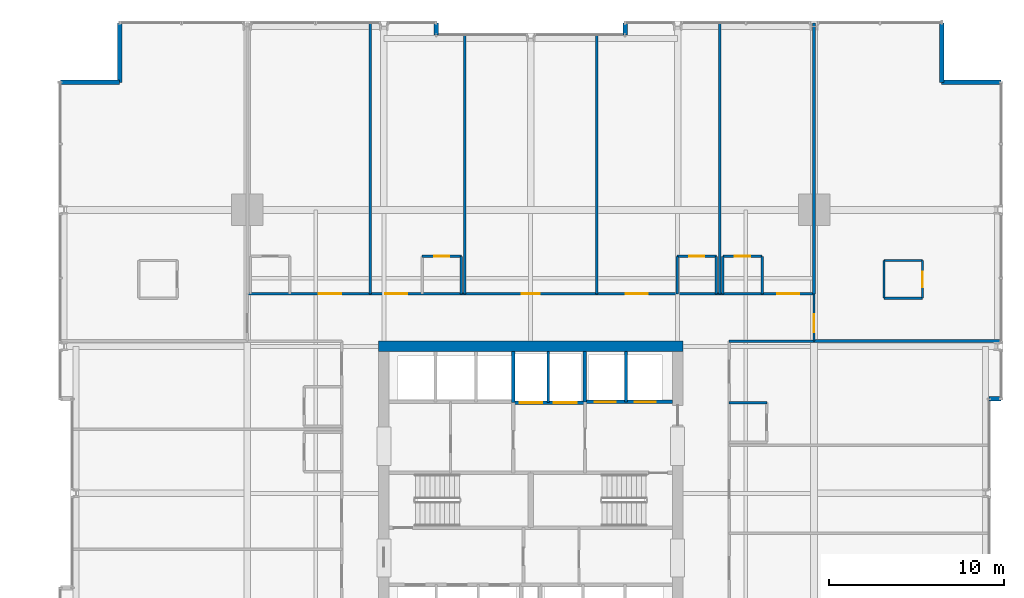
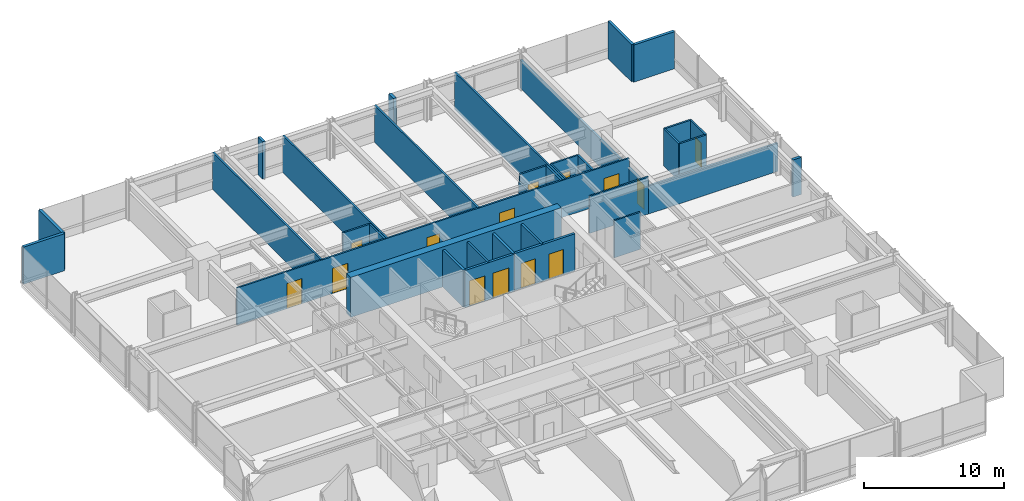
# One storey, part 33 of 38: 36 walls, 14 doors, 14 openings.
"""IFC4 building model written with IfcOpenShell, lengths in metres."""

from ifc_helpers import new_model, si_unit, direction, frame, frame_2d, origin, place, context, subcontext, project, spatial, rectangle, extrude, material, layer, layer_set, type_object, element, fill, save


model = new_model("IFC4")

# Units and contexts
model_context = context("Model", 3, precision=1e-05, world=origin(), true_north=direction((0.0, 1.0)))
body_context = subcontext(model_context, "Body", "Model", "MODEL_VIEW")
ifc_project = project(units=[si_unit("LENGTHUNIT", "METRE"), si_unit("AREAUNIT", "SQUARE_METRE"), si_unit("VOLUMEUNIT", "CUBIC_METRE"), si_unit("PLANEANGLEUNIT", "RADIAN"), si_unit("MASSUNIT", "GRAM", prefix="KILO")], contexts=[model_context])

# Site, building, storey
site_placement = place(None, origin())
site = spatial("IfcSite", under=ifc_project, at=site_placement, CompositionType="ELEMENT")
building_placement = place(site_placement, origin())
building = spatial("IfcBuilding", under=site, at=building_placement, Name="Drelvath Grand Hotel", CompositionType="ELEMENT")
storey_placement = place(building_placement, frame((0.0, 0.0, 61.199951171875)))
storey = spatial("IfcBuildingStorey", under=building, at=storey_placement, Name="L14", CompositionType="ELEMENT", Elevation=61.199951171875)

# Wall, openings, doors
ifc_material_1 = material(Name="Concrete C40/50", Category="concrete")
ifc_layer_1 = layer(ifc_material_1, 0.199951171875)
ifc_layer_set_1 = layer_set([ifc_layer_1], Name="Concrete C40/50")
wall_type_1 = type_object("IfcWallType", Name="Core Hoistway Fire Wall 200", PredefinedType="SOLIDWALL", material=ifc_layer_set_1)
wall_1_placement = place(storey_placement, frame((3.10009765625, 32.219970703125, 0.0), z_axis=(0.0, 0.0, 1.0), x_axis=(1.0, 0.0, 0.0)))
wall_1 = element("IfcWall", 1, at=wall_1_placement, inside=storey, type_object=wall_type_1, Name="L14 FSAE Hoistway Front Wall", PredefinedType="SOLIDWALL", context=body_context, shape_type="SweptSolid", body=[
    extrude(rectangle(XDim=5.0, YDim=0.199951171875, at=frame_2d((2.5, 0.0))), origin(), (0.0, 0.0, 1.0), 3.239990234375),
])
opening_1_placement = place(wall_1_placement, frame((0.550048828125, 0.0, 0.0)))
opening_1 = element("IfcOpeningElement", 2, at=opening_1_placement, cuts=wall_1, Name="Opening LD-FSAE-1", PredefinedType="OPENING", context=body_context, shape_type="SweptSolid", body=[
    extrude(rectangle(XDim=1.199951171875, YDim=2.199951171875, at=frame_2d((0.60009765625, 1.10009765625))), frame((0.0, 0.10986328125, 0.0), z_axis=(0.0, -1.0, 0.0), x_axis=(1.0, 0.0, 0.0)), (0.0, 0.0, 1.0), 0.219970703125),
])
opening_2_placement = place(wall_1_placement, frame((2.85009765625, 0.0, 0.0)))
opening_2 = element("IfcOpeningElement", 3, at=opening_2_placement, cuts=wall_1, Name="Opening LD-FSAE-2", PredefinedType="OPENING", context=body_context, shape_type="SweptSolid", body=[
    extrude(rectangle(XDim=1.199951171875, YDim=2.199951171875, at=frame_2d((0.60009765625, 1.10009765625))), frame((0.0, 0.10986328125, 0.0), z_axis=(0.0, -1.0, 0.0), x_axis=(1.0, 0.0, 0.0)), (0.0, 0.0, 1.0), 0.219970703125),
])
ifc_material_2 = material(Name="Stainless Steel S355", Category="steel")
door_type_1 = type_object("IfcDoorType", Name="FSAE Lift Sliding Landing Door 1200x2200", OperationType="NOTDEFINED", PredefinedType="DOOR", material=ifc_material_2)
door_1_placement = place(opening_1_placement, origin())
door_1 = element("IfcDoor", 4, at=door_1_placement, inside=storey, type_object=door_type_1, Name="L14 Lift FSAE-1 Landing Door", OperationType="SLIDING_TO_LEFT", OverallHeight=2.199951171875, OverallWidth=1.199951171875, PredefinedType="DOOR", context=body_context, shape_type="SweptSolid", body=[
    extrude(rectangle(XDim=1.199951171875, YDim=2.199951171875, at=frame_2d((0.60009765625, 1.10009765625))), frame((0.0, 0.02490234375, 0.0), z_axis=(0.0, -1.0, 0.0), x_axis=(1.0, 0.0, 0.0)), (0.0, 0.0, 1.0), 0.050048828125),
])
fill(opening_1, door_1)
door_2_placement = place(opening_2_placement, origin())
door_2 = element("IfcDoor", 5, at=door_2_placement, inside=storey, type_object=door_type_1, Name="L14 Lift FSAE-2 Landing Door", OperationType="SLIDING_TO_LEFT", OverallHeight=2.199951171875, OverallWidth=1.199951171875, PredefinedType="DOOR", context=body_context, shape_type="SweptSolid", body=[
    extrude(rectangle(XDim=1.199951171875, YDim=2.199951171875, at=frame_2d((0.60009765625, 1.10009765625))), frame((0.0, 0.02490234375, 0.0), z_axis=(0.0, -1.0, 0.0), x_axis=(1.0, 0.0, 0.0)), (0.0, 0.0, 1.0), 0.050048828125),
])
fill(opening_2, door_2)

# Wall
wall_2_placement = place(storey_placement, frame((3.10009765625, 32.219970703125, 0.0), z_axis=(0.0, 0.0, 1.0), x_axis=(0.0, 1.0, 0.0)))
element("IfcWall", 6, at=wall_2_placement, inside=storey, type_object=wall_type_1, Name="L14 FSAE Hoistway West Wall", PredefinedType="SOLIDWALL", context=body_context, shape_type="SweptSolid", body=[
    extrude(rectangle(XDim=2.880126953125, YDim=0.199951171875, at=frame_2d((1.43994140625, 0.0))), origin(), (0.0, 0.0, 1.0), 3.239990234375),
])

# Wall, openings, doors
wall_3_placement = place(storey_placement, frame((-1.0, 32.179931640625, 0.0), z_axis=(0.0, 0.0, 1.0), x_axis=(1.0, 0.0, 0.0)))
wall_3 = element("IfcWall", 7, at=wall_3_placement, inside=storey, type_object=wall_type_1, Name="L14 Service Lift Hoistway Wall", PredefinedType="SOLIDWALL", context=body_context, shape_type="SweptSolid", body=[
    extrude(rectangle(XDim=4.10009765625, YDim=0.199951171875, at=frame_2d((2.050048828125, 0.0))), origin(), (0.0, 0.0, 1.0), 3.239990234375),
])
opening_3_placement = place(wall_3_placement, frame((0.3701171875, 0.0, 0.0)))
opening_3 = element("IfcOpeningElement", 8, at=opening_3_placement, cuts=wall_3, Name="Opening LD-SV-2", PredefinedType="OPENING", context=body_context, shape_type="SweptSolid", body=[
    extrude(rectangle(XDim=1.300048828125, YDim=2.199951171875, at=frame_2d((0.64990234375, 1.10009765625))), frame((0.0, 0.10986328125, 0.0), z_axis=(0.0, -1.0, 0.0), x_axis=(1.0, 0.0, 0.0)), (0.0, 0.0, 1.0), 0.219970703125),
])
opening_4_placement = place(wall_3_placement, frame((2.330078125, 0.0, 0.0)))
opening_4 = element("IfcOpeningElement", 9, at=opening_4_placement, cuts=wall_3, Name="Opening LD-SV-1", PredefinedType="OPENING", context=body_context, shape_type="SweptSolid", body=[
    extrude(rectangle(XDim=1.300048828125, YDim=2.199951171875, at=frame_2d((0.64990234375, 1.10009765625))), frame((0.0, 0.10986328125, 0.0), z_axis=(0.0, -1.0, 0.0), x_axis=(1.0, 0.0, 0.0)), (0.0, 0.0, 1.0), 0.219970703125),
])
door_type_2 = type_object("IfcDoorType", Name="Service Lift Sliding Landing Door 1300x2200", OperationType="NOTDEFINED", PredefinedType="DOOR", material=ifc_material_2)
door_3_placement = place(opening_3_placement, origin())
door_3 = element("IfcDoor", 10, at=door_3_placement, inside=storey, type_object=door_type_2, Name="L14 Lift SV-2 Landing Door", OperationType="SLIDING_TO_LEFT", OverallHeight=2.199951171875, OverallWidth=1.300048828125, PredefinedType="DOOR", context=body_context, shape_type="SweptSolid", body=[
    extrude(rectangle(XDim=1.300048828125, YDim=2.199951171875, at=frame_2d((0.64990234375, 1.10009765625))), frame((0.0, 0.02490234375, 0.0), z_axis=(0.0, -1.0, 0.0), x_axis=(1.0, 0.0, 0.0)), (0.0, 0.0, 1.0), 0.050048828125),
])
fill(opening_3, door_3)
door_4_placement = place(opening_4_placement, origin())
door_4 = element("IfcDoor", 11, at=door_4_placement, inside=storey, type_object=door_type_2, Name="L14 Lift SV-1 Landing Door", OperationType="SLIDING_TO_LEFT", OverallHeight=2.199951171875, OverallWidth=1.300048828125, PredefinedType="DOOR", context=body_context, shape_type="SweptSolid", body=[
    extrude(rectangle(XDim=1.300048828125, YDim=2.199951171875, at=frame_2d((0.64990234375, 1.10009765625))), frame((0.0, 0.02490234375, 0.0), z_axis=(0.0, -1.0, 0.0), x_axis=(1.0, 0.0, 0.0)), (0.0, 0.0, 1.0), 0.050048828125),
])
fill(opening_4, door_4)

# Walls
wall_4_placement = place(storey_placement, frame((-1.0, 32.179931640625, 0.0), z_axis=(0.0, 0.0, 1.0), x_axis=(0.0, 1.0, 0.0)))
element("IfcWall", 12, at=wall_4_placement, inside=storey, type_object=wall_type_1, Name="L14 Service Lift West Wall", PredefinedType="SOLIDWALL", context=body_context, shape_type="SweptSolid", body=[
    extrude(rectangle(XDim=2.920166015625, YDim=0.199951171875, at=frame_2d((1.4599609375, 0.0))), origin(), (0.0, 0.0, 1.0), 3.239990234375),
])
ifc_material_3 = material(Name="Gypsum Fireboard Partition")
ifc_layer_2 = layer(ifc_material_3, 0.1650390625)
ifc_layer_set_2 = layer_set([ifc_layer_2], Name="Gypsum Fireboard Partition")
wall_type_2 = type_object("IfcWallType", Name="Core Shaft Partition 165", PredefinedType="PARTITIONING", material=ifc_layer_set_2)
wall_5_placement = place(storey_placement, frame((5.449951171875, 32.219970703125, 0.0), z_axis=(0.0, 0.0, 1.0), x_axis=(0.0, 1.0, 0.0)))
element("IfcWall", 13, at=wall_5_placement, inside=storey, type_object=wall_type_2, Name="L14 FSAE Hoistway Divider", PredefinedType="PARTITIONING", context=body_context, shape_type="SweptSolid", body=[
    extrude(rectangle(XDim=2.880126953125, YDim=0.1650390625, at=frame_2d((1.43994140625, 0.0))), origin(), (0.0, 0.0, 1.0), 3.239990234375),
])
wall_6_placement = place(storey_placement, frame((1.0, 32.179931640625, 0.0), z_axis=(0.0, 0.0, 1.0), x_axis=(0.0, 1.0, 0.0)))
element("IfcWall", 14, at=wall_6_placement, inside=storey, type_object=wall_type_2, Name="L14 Service Lift Divider", PredefinedType="PARTITIONING", context=body_context, shape_type="SweptSolid", body=[
    extrude(rectangle(XDim=2.920166015625, YDim=0.1650390625, at=frame_2d((1.4599609375, 0.0))), origin(), (0.0, 0.0, 1.0), 3.239990234375),
])

# Wall, openings, doors
ifc_layer_3 = layer(ifc_material_3, 0.135009765625)
ifc_layer_set_3 = layer_set([ifc_layer_3], Name="Gypsum Fireboard Partition")
wall_type_3 = type_object("IfcWallType", Name="Corridor Fire Barrier Wall 135", PredefinedType="PARTITIONING", material=ifc_layer_set_3)
wall_7_placement = place(storey_placement, frame((-16.199951171875, 38.39990234375, 0.0), z_axis=(0.0, 0.0, 1.0), x_axis=(1.0, 0.0, 0.0)))
wall_7 = element("IfcWall", 15, at=wall_7_placement, inside=storey, type_object=wall_type_3, Name="L14 North Corridor Wall", PredefinedType="PARTITIONING", context=body_context, shape_type="SweptSolid", body=[
    extrude(rectangle(XDim=32.39990234375, YDim=0.135009765625, at=frame_2d((16.199951171875, 0.0))), origin(), (0.0, 0.0, 1.0), 3.239990234375),
])
opening_5_placement = place(wall_7_placement, frame((4.094970703125, 0.0, 0.0)))
opening_5 = element("IfcOpeningElement", 16, at=opening_5_placement, cuts=wall_7, Name="Opening D-T1G3-035", PredefinedType="OPENING", context=body_context, shape_type="SweptSolid", body=[
    extrude(rectangle(XDim=1.260009765625, YDim=2.199951171875, at=frame_2d((0.6298828125, 1.10009765625))), frame((0.0, 0.077392578125, 0.0), z_axis=(0.0, -1.0, 0.0), x_axis=(1.0, 0.0, 0.0)), (0.0, 0.0, 1.0), 0.155029296875),
])
opening_6_placement = place(wall_7_placement, frame((7.875, 0.0, 0.0)))
opening_6 = element("IfcOpeningElement", 17, at=opening_6_placement, cuts=wall_7, Name="Opening D-T1G3-037", PredefinedType="OPENING", context=body_context, shape_type="SweptSolid", body=[
    extrude(rectangle(XDim=1.260009765625, YDim=2.199951171875, at=frame_2d((0.6298828125, 1.10009765625))), frame((0.0, 0.077392578125, 0.0), z_axis=(0.0, -1.0, 0.0), x_axis=(1.0, 0.0, 0.0)), (0.0, 0.0, 1.0), 0.155029296875),
])
opening_7_placement = place(wall_7_placement, frame((15.68994140625, 0.0, 0.0)))
opening_7 = element("IfcOpeningElement", 18, at=opening_7_placement, cuts=wall_7, Name="Opening D-T1G3-038", PredefinedType="OPENING", context=body_context, shape_type="SweptSolid", body=[
    extrude(rectangle(XDim=1.02001953125, YDim=2.14990234375, at=frame_2d((0.510009765625, 1.074951171875))), frame((0.0, 0.077392578125, 0.0), z_axis=(0.0, -1.0, 0.0), x_axis=(1.0, 0.0, 0.0)), (0.0, 0.0, 1.0), 0.155029296875),
])
opening_8_placement = place(wall_7_placement, frame((21.64501953125, 0.0, 0.0)))
opening_8 = element("IfcOpeningElement", 19, at=opening_8_placement, cuts=wall_7, Name="Opening D-T1G3-040", PredefinedType="OPENING", context=body_context, shape_type="SweptSolid", body=[
    extrude(rectangle(XDim=1.260009765625, YDim=2.199951171875, at=frame_2d((0.6298828125, 1.10009765625))), frame((0.0, 0.077392578125, 0.0), z_axis=(0.0, -1.0, 0.0), x_axis=(1.0, 0.0, 0.0)), (0.0, 0.0, 1.0), 0.155029296875),
])
opening_9_placement = place(wall_7_placement, frame((30.284912109375, 0.0, 0.0)))
opening_9 = element("IfcOpeningElement", 20, at=opening_9_placement, cuts=wall_7, Name="Opening D-T1G3-042", PredefinedType="OPENING", context=body_context, shape_type="SweptSolid", body=[
    extrude(rectangle(XDim=1.260009765625, YDim=2.199951171875, at=frame_2d((0.6298828125, 1.10009765625))), frame((0.0, 0.077392578125, 0.0), z_axis=(0.0, -1.0, 0.0), x_axis=(1.0, 0.0, 0.0)), (0.0, 0.0, 1.0), 0.155029296875),
])
ifc_material_4 = material(Name="Hardwood Walnut Timber", Category="wood")
door_type_3 = type_object("IfcDoorType", Name="Amenity Meeting Fire Door 1020x2150", OperationType="NOTDEFINED", PredefinedType="DOOR", material=ifc_material_4)
door_5_placement = place(opening_7_placement, origin())
door_5 = element("IfcDoor", 21, at=door_5_placement, inside=storey, type_object=door_type_3, Name="L14 Briefing Seminar Room Entry Door", OperationType="SINGLE_SWING_LEFT", OverallHeight=2.14990234375, OverallWidth=1.02001953125, PredefinedType="DOOR", context=body_context, shape_type="SweptSolid", body=[
    extrude(rectangle(XDim=1.02001953125, YDim=2.14990234375, at=frame_2d((0.510009765625, 1.074951171875))), frame((0.0, 0.02490234375, 0.0), z_axis=(0.0, -1.0, 0.0), x_axis=(1.0, 0.0, 0.0)), (0.0, 0.0, 1.0), 0.050048828125),
])
fill(opening_7, door_5)
door_type_4 = type_object("IfcDoorType", Name="Suite Entrance Fire Door 1260x2200", OperationType="NOTDEFINED", PredefinedType="DOOR", material=ifc_material_4)
door_6_placement = place(opening_5_placement, origin())
door_6 = element("IfcDoor", 22, at=door_6_placement, inside=storey, type_object=door_type_4, Name="L14 Corner Suite Entry Door", OperationType="SINGLE_SWING_RIGHT", OverallHeight=2.199951171875, OverallWidth=1.260009765625, PredefinedType="DOOR", context=body_context, shape_type="SweptSolid", body=[
    extrude(rectangle(XDim=1.260009765625, YDim=2.199951171875, at=frame_2d((0.6298828125, 1.10009765625))), frame((0.0, 0.02490234375, 0.0), z_axis=(0.0, -1.0, 0.0), x_axis=(1.0, 0.0, 0.0)), (0.0, 0.0, 1.0), 0.050048828125),
])
fill(opening_5, door_6)
door_7_placement = place(opening_6_placement, origin())
door_7 = element("IfcDoor", 23, at=door_7_placement, inside=storey, type_object=door_type_4, Name="L14 Corner Suite Entry Door", OperationType="SINGLE_SWING_RIGHT", OverallHeight=2.199951171875, OverallWidth=1.260009765625, PredefinedType="DOOR", context=body_context, shape_type="SweptSolid", body=[
    extrude(rectangle(XDim=1.260009765625, YDim=2.199951171875, at=frame_2d((0.6298828125, 1.10009765625))), frame((0.0, 0.02490234375, 0.0), z_axis=(0.0, -1.0, 0.0), x_axis=(1.0, 0.0, 0.0)), (0.0, 0.0, 1.0), 0.050048828125),
])
fill(opening_6, door_7)
door_8_placement = place(opening_8_placement, origin())
door_8 = element("IfcDoor", 24, at=door_8_placement, inside=storey, type_object=door_type_4, Name="L14 Corner Suite Entry Door", OperationType="SINGLE_SWING_LEFT", OverallHeight=2.199951171875, OverallWidth=1.260009765625, PredefinedType="DOOR", context=body_context, shape_type="SweptSolid", body=[
    extrude(rectangle(XDim=1.260009765625, YDim=2.199951171875, at=frame_2d((0.6298828125, 1.10009765625))), frame((0.0, 0.02490234375, 0.0), z_axis=(0.0, -1.0, 0.0), x_axis=(1.0, 0.0, 0.0)), (0.0, 0.0, 1.0), 0.050048828125),
])
fill(opening_8, door_8)
door_9_placement = place(opening_9_placement, origin())
door_9 = element("IfcDoor", 25, at=door_9_placement, inside=storey, type_object=door_type_4, Name="L14 Corner Suite Entry Door", OperationType="SINGLE_SWING_LEFT", OverallHeight=2.199951171875, OverallWidth=1.260009765625, PredefinedType="DOOR", context=body_context, shape_type="SweptSolid", body=[
    extrude(rectangle(XDim=1.260009765625, YDim=2.199951171875, at=frame_2d((0.6298828125, 1.10009765625))), frame((0.0, 0.02490234375, 0.0), z_axis=(0.0, -1.0, 0.0), x_axis=(1.0, 0.0, 0.0)), (0.0, 0.0, 1.0), 0.050048828125),
])
fill(opening_9, door_9)

# Wall
wall_8_placement = place(storey_placement, frame((11.35009765625, 35.699951171875, 0.0), z_axis=(0.0, 0.0, 1.0), x_axis=(1.0, 0.0, 0.0)))
element("IfcWall", 26, at=wall_8_placement, inside=storey, type_object=wall_type_3, Name="L14 NE Spur Inner Wall", PredefinedType="PARTITIONING", context=body_context, shape_type="SweptSolid", body=[
    extrude(rectangle(XDim=4.849853515625, YDim=0.135009765625, at=frame_2d((2.4248046875, 0.0))), origin(), (0.0, 0.0, 1.0), 3.239990234375),
])

# Wall, opening, door
wall_9_placement = place(storey_placement, frame((16.199951171875, 35.699951171875, 0.0), z_axis=(0.0, 0.0, 1.0), x_axis=(0.0, 1.0, 0.0)))
wall_9 = element("IfcWall", 27, at=wall_9_placement, inside=storey, type_object=wall_type_3, Name="L14 North Corridor East End", PredefinedType="PARTITIONING", context=body_context, shape_type="SweptSolid", body=[
    extrude(rectangle(XDim=2.699951171875, YDim=0.135009765625, at=frame_2d((1.35009765625, 0.0))), origin(), (0.0, 0.0, 1.0), 2.451904296875),
])
opening_10_placement = place(wall_9_placement, frame((0.52001953125, 0.0, 0.0)))
opening_10 = element("IfcOpeningElement", 28, at=opening_10_placement, cuts=wall_9, Name="Opening D-T1G3-024", PredefinedType="OPENING", context=body_context, shape_type="SweptSolid", body=[
    extrude(rectangle(XDim=1.02001953125, YDim=2.14990234375, at=frame_2d((0.510009765625, 1.074951171875))), frame((0.0, 0.077392578125, 0.0), z_axis=(0.0, -1.0, 0.0), x_axis=(1.0, 0.0, 0.0)), (0.0, 0.0, 1.0), 0.155029296875),
])
door_10_placement = place(opening_10_placement, origin())
door_10 = element("IfcDoor", 29, at=door_10_placement, inside=storey, type_object=door_type_3, Name="L14 Corner Suite Entry Door", OperationType="SINGLE_SWING_LEFT", OverallHeight=2.14990234375, OverallWidth=1.02001953125, PredefinedType="DOOR", context=body_context, shape_type="SweptSolid", body=[
    extrude(rectangle(XDim=1.02001953125, YDim=2.14990234375, at=frame_2d((0.510009765625, 1.074951171875))), frame((0.0, 0.02490234375, 0.0), z_axis=(0.0, -1.0, 0.0), x_axis=(1.0, 0.0, 0.0)), (0.0, 0.0, 1.0), 0.050048828125),
])
fill(opening_10, door_10)

# Walls
ifc_material_5 = material(Name="Moisture-Resistant Gypsum Board")
ifc_layer_4 = layer(ifc_material_5, 0.139892578125)
ifc_layer_set_4 = layer_set([ifc_layer_4], Name="Moisture-Resistant Gypsum Board")
wall_type_4 = type_object("IfcWallType", Name="En-Suite Plumbing Wall 140", PredefinedType="PLUMBINGWALL", material=ifc_layer_set_4)
for number, where, z_axis, x_axis, name in (
    (30, (20.199951171875, 38.159912109375, 0.0), (0.0, 0.0, 1.0), (1.0, 0.0, 0.0), "L14 Corner En-Suite South"),
    (31, (20.199951171875, 40.31005859375, 0.0), (0.0, 0.0, 1.0), (1.0, 0.0, 0.0), "L14 Corner En-Suite North"),
):
    element("IfcWall", number, at=place(storey_placement, frame(where, z_axis=z_axis, x_axis=x_axis)), inside=storey, type_object=wall_type_4, Name=name, PredefinedType="PLUMBINGWALL", context=body_context, shape_type="SweptSolid", body=[
        extrude(rectangle(XDim=2.199951171875, YDim=0.139892578125, at=frame_2d((1.10009765625, 0.0))), origin(), (0.0, 0.0, 1.0), 3.239990234375),
    ])
wall_10_placement = place(storey_placement, frame((20.199951171875, 38.159912109375, 0.0), z_axis=(0.0, 0.0, 1.0), x_axis=(0.0, 1.0, 0.0)))
element("IfcWall", 32, at=wall_10_placement, inside=storey, type_object=wall_type_4, Name="L14 Corner En-Suite West", PredefinedType="PLUMBINGWALL", context=body_context, shape_type="SweptSolid", body=[
    extrude(rectangle(XDim=2.150146484375, YDim=0.139892578125, at=frame_2d((1.0751953125, 0.0))), origin(), (0.0, 0.0, 1.0), 3.239990234375),
])

# Wall, opening, door
wall_11_placement = place(storey_placement, frame((22.39990234375, 38.159912109375, 0.0), z_axis=(0.0, 0.0, 1.0), x_axis=(0.0, 1.0, 0.0)))
wall_11 = element("IfcWall", 33, at=wall_11_placement, inside=storey, type_object=wall_type_4, Name="L14 Corner En-Suite East", PredefinedType="PLUMBINGWALL", context=body_context, shape_type="SweptSolid", body=[
    extrude(rectangle(XDim=2.150146484375, YDim=0.139892578125, at=frame_2d((1.0751953125, 0.0))), origin(), (0.0, 0.0, 1.0), 3.239990234375),
])
opening_11_placement = place(wall_11_placement, frame((0.6201171875, 0.0, 0.0)))
opening_11 = element("IfcOpeningElement", 34, at=opening_11_placement, cuts=wall_11, Name="Opening D-T1G3-023", PredefinedType="OPENING", context=body_context, shape_type="SweptSolid", body=[
    extrude(rectangle(XDim=0.8798828125, YDim=2.10009765625, at=frame_2d((0.43994140625, 1.050048828125))), frame((0.0, 0.079833984375, 0.0), z_axis=(0.0, -1.0, 0.0), x_axis=(1.0, 0.0, 0.0)), (0.0, 0.0, 1.0), 0.159912109375),
])
door_type_5 = type_object("IfcDoorType", Name="En-Suite Bathroom Door 880x2100", OperationType="NOTDEFINED", PredefinedType="DOOR", material=ifc_material_4)
door_11_placement = place(opening_11_placement, origin())
door_11 = element("IfcDoor", 35, at=door_11_placement, inside=storey, type_object=door_type_5, Name="L14 Corner En-Suite Door", OperationType="SINGLE_SWING_RIGHT", OverallHeight=2.10009765625, OverallWidth=0.8798828125, PredefinedType="DOOR", context=body_context, shape_type="SweptSolid", body=[
    extrude(rectangle(XDim=0.8798828125, YDim=2.10009765625, at=frame_2d((0.43994140625, 1.050048828125))), frame((0.0, 0.02490234375, 0.0), z_axis=(0.0, -1.0, 0.0), x_axis=(1.0, 0.0, 0.0)), (0.0, 0.0, 1.0), 0.050048828125),
])
fill(opening_11, door_11)

# Wall
wall_12_placement = place(storey_placement, frame((-3.9599609375, 38.39990234375, 0.0), z_axis=(0.0, 0.0, 1.0), x_axis=(0.0, 1.0, 0.0)))
element("IfcWall", 36, at=wall_12_placement, inside=storey, type_object=wall_type_4, Name="L14 En-Suite Right Wall", PredefinedType="PLUMBINGWALL", context=body_context, shape_type="SweptSolid", body=[
    extrude(rectangle(XDim=2.150146484375, YDim=0.139892578125, at=frame_2d((1.0751953125, 0.0))), origin(), (0.0, 0.0, 1.0), 3.239990234375),
])

# Wall, opening, door
wall_13_placement = place(storey_placement, frame((-6.2099609375, 40.550048828125, 0.0), z_axis=(0.0, 0.0, 1.0), x_axis=(1.0, 0.0, 0.0)))
wall_13 = element("IfcWall", 37, at=wall_13_placement, inside=storey, type_object=wall_type_4, Name="L14 En-Suite Front Wall", PredefinedType="PLUMBINGWALL", context=body_context, shape_type="SweptSolid", body=[
    extrude(rectangle(XDim=2.25, YDim=0.139892578125, at=frame_2d((1.125, 0.0))), origin(), (0.0, 0.0, 1.0), 3.239990234375),
])
opening_12_placement = place(wall_13_placement, frame((0.68505859375, 0.0, 0.0)))
opening_12 = element("IfcOpeningElement", 38, at=opening_12_placement, cuts=wall_13, Name="Opening D-T1G3-036", PredefinedType="OPENING", context=body_context, shape_type="SweptSolid", body=[
    extrude(rectangle(XDim=0.8798828125, YDim=2.10009765625, at=frame_2d((0.43994140625, 1.050048828125))), frame((0.0, 0.079833984375, 0.0), z_axis=(0.0, -1.0, 0.0), x_axis=(1.0, 0.0, 0.0)), (0.0, 0.0, 1.0), 0.159912109375),
])
door_12_placement = place(opening_12_placement, origin())
door_12 = element("IfcDoor", 39, at=door_12_placement, inside=storey, type_object=door_type_5, Name="L14 En-Suite Bathroom Door", OperationType="SINGLE_SWING_LEFT", OverallHeight=2.10009765625, OverallWidth=0.8798828125, PredefinedType="DOOR", context=body_context, shape_type="SweptSolid", body=[
    extrude(rectangle(XDim=0.8798828125, YDim=2.10009765625, at=frame_2d((0.43994140625, 1.050048828125))), frame((0.0, 0.02490234375, 0.0), z_axis=(0.0, -1.0, 0.0), x_axis=(1.0, 0.0, 0.0)), (0.0, 0.0, 1.0), 0.050048828125),
])
fill(opening_12, door_12)

# Walls
wall_14_placement = place(storey_placement, frame((8.3701171875, 38.39990234375, 0.0), z_axis=(0.0, 0.0, 1.0), x_axis=(0.0, 1.0, 0.0)))
element("IfcWall", 40, at=wall_14_placement, inside=storey, type_object=wall_type_4, Name="L14 En-Suite Left Wall", PredefinedType="PLUMBINGWALL", context=body_context, shape_type="SweptSolid", body=[
    extrude(rectangle(XDim=2.150146484375, YDim=0.139892578125, at=frame_2d((1.0751953125, 0.0))), origin(), (0.0, 0.0, 1.0), 2.617431640625),
])
wall_15_placement = place(storey_placement, frame((10.6201171875, 38.39990234375, 0.0), z_axis=(0.0, 0.0, 1.0), x_axis=(0.0, 1.0, 0.0)))
element("IfcWall", 41, at=wall_15_placement, inside=storey, type_object=wall_type_4, Name="L14 En-Suite Right Wall", PredefinedType="PLUMBINGWALL", context=body_context, shape_type="SweptSolid", body=[
    extrude(rectangle(XDim=2.150146484375, YDim=0.139892578125, at=frame_2d((1.0751953125, 0.0))), origin(), (0.0, 0.0, 1.0), 3.239990234375),
])

# Wall, opening, door
wall_16_placement = place(storey_placement, frame((8.3701171875, 40.550048828125, 0.0), z_axis=(0.0, 0.0, 1.0), x_axis=(1.0, 0.0, 0.0)))
wall_16 = element("IfcWall", 42, at=wall_16_placement, inside=storey, type_object=wall_type_4, Name="L14 En-Suite Front Wall", PredefinedType="PLUMBINGWALL", context=body_context, shape_type="SweptSolid", body=[
    extrude(rectangle(XDim=2.25, YDim=0.139892578125, at=frame_2d((1.125, 0.0))), origin(), (0.0, 0.0, 1.0), 3.239990234375),
])
opening_13_placement = place(wall_16_placement, frame((0.68505859375, 0.0, 0.0)))
opening_13 = element("IfcOpeningElement", 43, at=opening_13_placement, cuts=wall_16, Name="Opening D-T1G3-039", PredefinedType="OPENING", context=body_context, shape_type="SweptSolid", body=[
    extrude(rectangle(XDim=0.8798828125, YDim=2.10009765625, at=frame_2d((0.43994140625, 1.050048828125))), frame((0.0, 0.079833984375, 0.0), z_axis=(0.0, -1.0, 0.0), x_axis=(1.0, 0.0, 0.0)), (0.0, 0.0, 1.0), 0.159912109375),
])
door_13_placement = place(opening_13_placement, origin())
door_13 = element("IfcDoor", 44, at=door_13_placement, inside=storey, type_object=door_type_5, Name="L14 En-Suite Bathroom Door", OperationType="SINGLE_SWING_RIGHT", OverallHeight=2.10009765625, OverallWidth=0.8798828125, PredefinedType="DOOR", context=body_context, shape_type="SweptSolid", body=[
    extrude(rectangle(XDim=0.8798828125, YDim=2.10009765625, at=frame_2d((0.43994140625, 1.050048828125))), frame((0.0, 0.02490234375, 0.0), z_axis=(0.0, -1.0, 0.0), x_axis=(1.0, 0.0, 0.0)), (0.0, 0.0, 1.0), 0.050048828125),
])
fill(opening_13, door_13)

# Walls
for number, where, z_axis, x_axis, name in (
    (45, (10.97998046875, 38.39990234375, 0.0), (0.0, 0.0, 1.0), (0.0, 1.0, 0.0), "L14 En-Suite Left Wall"),
    (46, (13.22998046875, 38.39990234375, 0.0), (0.0, 0.0, 1.0), (0.0, 1.0, 0.0), "L14 En-Suite Right Wall"),
):
    element("IfcWall", number, at=place(storey_placement, frame(where, z_axis=z_axis, x_axis=x_axis)), inside=storey, type_object=wall_type_4, Name=name, PredefinedType="PLUMBINGWALL", context=body_context, shape_type="SweptSolid", body=[
        extrude(rectangle(XDim=2.150146484375, YDim=0.139892578125, at=frame_2d((1.0751953125, 0.0))), origin(), (0.0, 0.0, 1.0), 3.239990234375),
    ])

# Wall, opening, door
wall_17_placement = place(storey_placement, frame((10.97998046875, 40.550048828125, 0.0), z_axis=(0.0, 0.0, 1.0), x_axis=(1.0, 0.0, 0.0)))
wall_17 = element("IfcWall", 47, at=wall_17_placement, inside=storey, type_object=wall_type_4, Name="L14 En-Suite Front Wall", PredefinedType="PLUMBINGWALL", context=body_context, shape_type="SweptSolid", body=[
    extrude(rectangle(XDim=2.25, YDim=0.139892578125, at=frame_2d((1.125, 0.0))), origin(), (0.0, 0.0, 1.0), 3.239990234375),
])
opening_14_placement = place(wall_17_placement, frame((0.68505859375, 0.0, 0.0)))
opening_14 = element("IfcOpeningElement", 48, at=opening_14_placement, cuts=wall_17, Name="Opening D-T1G3-041", PredefinedType="OPENING", context=body_context, shape_type="SweptSolid", body=[
    extrude(rectangle(XDim=0.8798828125, YDim=2.10009765625, at=frame_2d((0.43994140625, 1.050048828125))), frame((0.0, 0.079833984375, 0.0), z_axis=(0.0, -1.0, 0.0), x_axis=(1.0, 0.0, 0.0)), (0.0, 0.0, 1.0), 0.159912109375),
])
door_14_placement = place(opening_14_placement, origin())
door_14 = element("IfcDoor", 49, at=door_14_placement, inside=storey, type_object=door_type_5, Name="L14 En-Suite Bathroom Door", OperationType="SINGLE_SWING_RIGHT", OverallHeight=2.10009765625, OverallWidth=0.8798828125, PredefinedType="DOOR", context=body_context, shape_type="SweptSolid", body=[
    extrude(rectangle(XDim=0.8798828125, YDim=2.10009765625, at=frame_2d((0.43994140625, 1.050048828125))), frame((0.0, 0.02490234375, 0.0), z_axis=(0.0, -1.0, 0.0), x_axis=(1.0, 0.0, 0.0)), (0.0, 0.0, 1.0), 0.050048828125),
])
fill(opening_14, door_14)

# Walls
wall_18_placement = place(storey_placement, frame((11.35009765625, 32.177490234375, 0.0), z_axis=(0.0, 0.0, 1.0), x_axis=(1.0, 0.0, 0.0)))
element("IfcWall", 50, at=wall_18_placement, inside=storey, type_object=wall_type_4, Name="L14 En-Suite Right Wall", PredefinedType="PLUMBINGWALL", context=body_context, shape_type="SweptSolid", body=[
    extrude(rectangle(XDim=2.14990234375, YDim=0.139892578125, at=frame_2d((1.074951171875, 0.0))), origin(), (0.0, 0.0, 1.0), 3.239990234375),
])
ifc_material_6 = material(Name="Gypsum Acoustic Partition")
ifc_layer_5 = layer(ifc_material_6, 0.14990234375)
ifc_layer_set_5 = layer_set([ifc_layer_5], Name="Gypsum Acoustic Partition")
wall_type_5 = type_object("IfcWallType", Name="Guestroom Demising Wall 150", PredefinedType="PARTITIONING", material=ifc_layer_set_5)
wall_19_placement = place(storey_placement, frame((-9.179931640625, 38.39990234375, 0.0), z_axis=(0.0, 0.0, 1.0), x_axis=(0.0, 1.0, 0.0)))
element("IfcWall", 51, at=wall_19_placement, inside=storey, type_object=wall_type_5, Name="L14 North Demising 1", PredefinedType="PARTITIONING", context=body_context, shape_type="SweptSolid", body=[
    extrude(rectangle(XDim=15.47998046875, YDim=0.14990234375, at=frame_2d((7.739990234375, 0.0))), origin(), (0.0, 0.0, 1.0), 3.239990234375),
])
for number, where, z_axis, x_axis, name in (
    (52, (-3.780029296875, 38.39990234375, 0.0), (0.0, 0.0, 1.0), (0.0, 1.0, 0.0), "L14 North Demising 2"),
    (53, (3.780029296875, 38.39990234375, 0.0), (0.0, 0.0, 1.0), (0.0, 1.0, 0.0), "L14 North Demising 3"),
):
    element("IfcWall", number, at=place(storey_placement, frame(where, z_axis=z_axis, x_axis=x_axis)), inside=storey, type_object=wall_type_5, Name=name, PredefinedType="PARTITIONING", context=body_context, shape_type="SweptSolid", body=[
        extrude(rectangle(XDim=14.800048828125, YDim=0.14990234375, at=frame_2d((7.39990234375, 0.0))), origin(), (0.0, 0.0, 1.0), 3.239990234375),
    ])
wall_20_placement = place(storey_placement, frame((10.800048828125, 38.39990234375, 0.0), z_axis=(0.0, 0.0, 1.0), x_axis=(0.0, 1.0, 0.0)))
element("IfcWall", 54, at=wall_20_placement, inside=storey, type_object=wall_type_5, Name="L14 North Demising 4", PredefinedType="PARTITIONING", context=body_context, shape_type="SweptSolid", body=[
    extrude(rectangle(XDim=15.47998046875, YDim=0.14990234375, at=frame_2d((7.739990234375, 0.0))), origin(), (0.0, 0.0, 1.0), 3.239990234375),
])
ifc_material_7 = material(Name="Concrete f'c 70 MPa", Category="concrete")
ifc_layer_6 = layer(ifc_material_7, 0.60009765625)
ifc_layer_set_6 = layer_set([ifc_layer_6], Name="Concrete f'c 70 MPa")
wall_type_6 = type_object("IfcWallType", Name="Lower Core RC Shear Wall 600", PredefinedType="SHEAR", material=ifc_layer_set_6)
wall_21_placement = place(storey_placement, frame((-8.699951171875, 35.39990234375, 0.0), z_axis=(0.0, 0.0, 1.0), x_axis=(1.0, 0.0, 0.0)))
element("IfcWall", 55, at=wall_21_placement, inside=storey, type_object=wall_type_6, Name="L14 Central Core Shear Wall N", PredefinedType="SHEAR", context=body_context, shape_type="SweptSolid", body=[
    extrude(rectangle(XDim=17.39990234375, YDim=0.60009765625, at=frame_2d((8.699951171875, 0.0))), origin(), (0.0, 0.0, 1.0), 3.5),
])
ifc_layer_7 = layer(ifc_material_6, 0.1650390625)
ifc_layer_set_7 = layer_set([ifc_layer_7], Name="Gypsum Acoustic Partition")
wall_type_7 = type_object("IfcWallType", Name="Suite Demising Wall 165", PredefinedType="PARTITIONING", material=ifc_layer_set_7)
wall_22_placement = place(storey_placement, frame((16.199951171875, 38.39990234375, 0.0), z_axis=(0.0, 0.0, 1.0), x_axis=(0.0, 1.0, 0.0)))
element("IfcWall", 56, at=wall_22_placement, inside=storey, type_object=wall_type_7, Name="L14 NE Wing Boundary Wall", PredefinedType="PARTITIONING", context=body_context, shape_type="SweptSolid", body=[
    extrude(rectangle(XDim=15.47998046875, YDim=0.1650390625, at=frame_2d((7.739990234375, 0.0))), origin(), (0.0, 0.0, 1.0), 2.451904296875),
])
wall_23_placement = place(storey_placement, frame((16.199951171875, 35.699951171875, 0.0), z_axis=(0.0, 0.0, 1.0), x_axis=(1.0, 0.0, 0.0)))
element("IfcWall", 57, at=wall_23_placement, inside=storey, type_object=wall_type_7, Name="L14 NE Corner South Wall", PredefinedType="PARTITIONING", context=body_context, shape_type="SweptSolid", body=[
    extrude(rectangle(XDim=10.679931640625, YDim=0.1650390625, at=frame_2d((5.33984375, 0.0))), origin(), (0.0, 0.0, 1.0), 2.451904296875),
])
ifc_material_8 = material(Name="Pale-Metal Insulated Aluminium Spandrel Assembly", Category="aluminium")
ifc_layer_8 = layer(ifc_material_8, 0.239990234375)
ifc_layer_set_8 = layer_set([ifc_layer_8], Name="Pale-Metal Insulated Aluminium Spandrel Assembly")
wall_type_8 = type_object("IfcWallType", Name="Tower Insulated Metal Spandrel Closure Wall 240", PredefinedType="STANDARD", material=ifc_layer_set_8)
for number, where, z_axis, x_axis, name in (
    (58, (-26.8798828125, 50.5, 0.0), (0.0, 0.0, 1.0), (1.0, 0.0, 0.0), "L14 Notched Corner Return Spandrel Wall CNW1"),
    (59, (-23.5, 50.5, 0.0), (0.0, 0.0, 1.0), (0.0, 1.0, 0.0), "L14 Notched Corner Return Spandrel Wall CNW2"),
    (60, (23.5, 53.8798828125, 0.0), (0.0, 0.0, 1.0), (0.0, -1.0, 0.0), "L14 Notched Corner Return Spandrel Wall CNE1"),
    (61, (23.5, 50.5, 0.0), (0.0, 0.0, 1.0), (1.0, 0.0, 0.0), "L14 Notched Corner Return Spandrel Wall CNE2"),
):
    element("IfcWall", number, at=place(storey_placement, frame(where, z_axis=z_axis, x_axis=x_axis)), inside=storey, type_object=wall_type_8, Name=name, PredefinedType="STANDARD", context=body_context, shape_type="SweptSolid", body=[
        extrude(rectangle(XDim=3.3798828125, YDim=0.239990234375, at=frame_2d((1.68994140625, 0.0))), origin(), (0.0, 0.0, 1.0), 3.239990234375),
    ])
for number, where, z_axis, x_axis, name in (
    (62, (26.8798828125, 32.39990234375, 0.0), (0.0, 0.0, 1.0), (-1.0, 0.0, 0.0), "L14 Notched Corner Return Spandrel Wall RE1"),
    (63, (-5.39990234375, 53.8798828125, 0.0), (0.0, 0.0, 1.0), (0.0, -1.0, 0.0), "L14 Notched Corner Return Spandrel Wall RN1"),
    (64, (5.39990234375, 53.199951171875, 0.0), (0.0, 0.0, 1.0), (0.0, 1.0, 0.0), "L14 Notched Corner Return Spandrel Wall RN2"),
):
    element("IfcWall", number, at=place(storey_placement, frame(where, z_axis=z_axis, x_axis=x_axis)), inside=storey, type_object=wall_type_8, Name=name, PredefinedType="STANDARD", context=body_context, shape_type="SweptSolid", body=[
        extrude(rectangle(XDim=0.679931640625, YDim=0.239990234375, at=frame_2d((0.33984375, 0.0))), origin(), (0.0, 0.0, 1.0), 3.239990234375),
    ])

save(model, "model.ifc")
